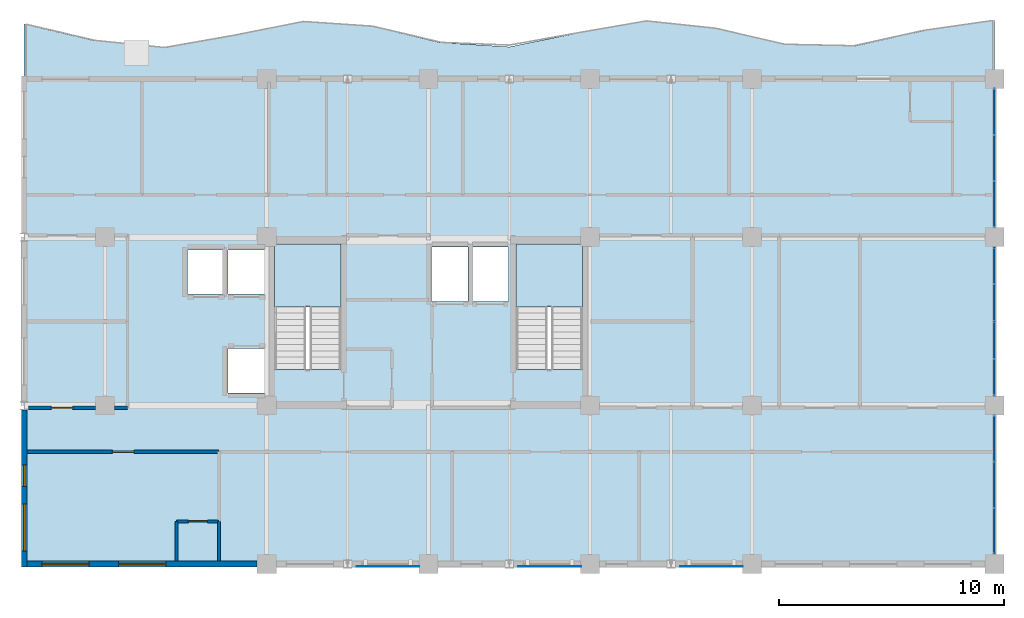
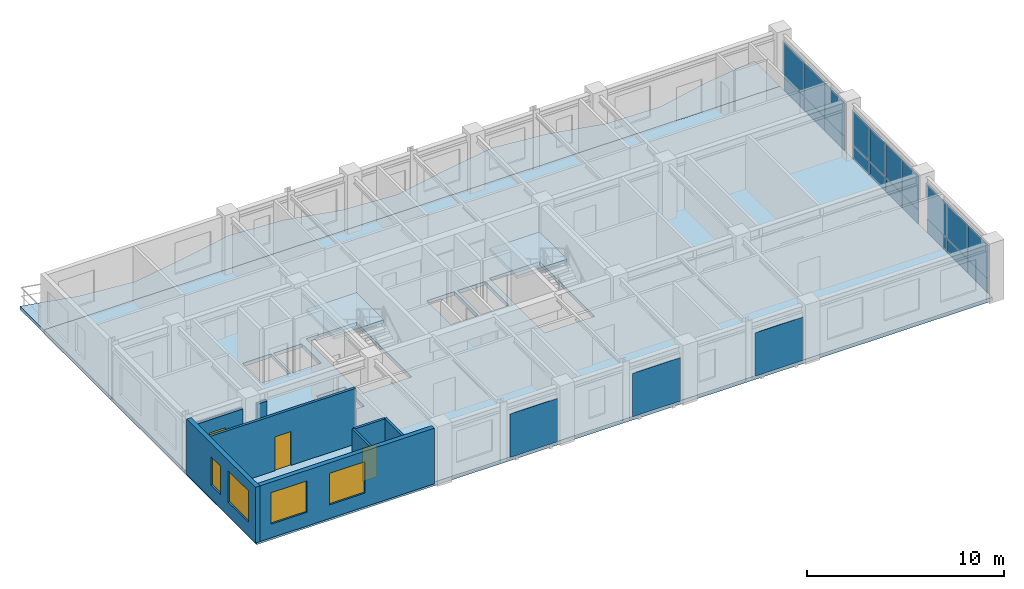
# One storey, part 5 of 11: 23 plates, 8 walls, 4 slabs, 4 windows, 3 doors, 7 openings, 5 elements without a shape of their own.
"""IFC4 building model written with IfcOpenShell, lengths in metres."""

from ifc_helpers import new_model, si_unit, direction, frame, frame_2d, origin, origin_2d, place, context, subcontext, project, spatial, polyline, rectangle, outline, extrude, source, transform, mapped, material, layer, layer_set, type_object, element, fill, aggregate, save


model = new_model("IFC4")

# Units and contexts
model_context = context("Model", 3, precision=1e-05, world=origin(), true_north=direction((0.0, 1.0)))
body_context = subcontext(model_context, "Body", "Model", "MODEL_VIEW")
ifc_project = project(units=[si_unit("LENGTHUNIT", "METRE"), si_unit("AREAUNIT", "SQUARE_METRE"), si_unit("VOLUMEUNIT", "CUBIC_METRE"), si_unit("PLANEANGLEUNIT", "RADIAN"), si_unit("MASSUNIT", "GRAM", prefix="KILO")], contexts=[model_context])

# Site, building, storey
site_placement = place(None, origin())
site = spatial("IfcSite", under=ifc_project, at=site_placement, CompositionType="ELEMENT")
building_placement = place(site_placement, origin())
building = spatial("IfcBuilding", under=site, at=building_placement, Name="Kaliganga Portal Commons", CompositionType="ELEMENT")
storey_placement = place(building_placement, frame((0.0, 0.0, 257.300048828125)))
storey = spatial("IfcBuildingStorey", under=building, at=storey_placement, Name="L66", CompositionType="ELEMENT", Elevation=257.300048828125)

# Slab
ifc_material_1 = material(Name="Concrete C40/50", Category="concrete")
ifc_layer_1 = layer(ifc_material_1, 0.2099609375)
ifc_layer_set_1 = layer_set([ifc_layer_1], Name="Concrete C40/50")
slab_type_1 = type_object("IfcSlabType", Name="SLB-BALC-210", PredefinedType="FLOOR", material=ifc_layer_set_1)
slab_1_placement = place(storey_placement, frame((0.0, 0.0, -0.2099609375)))
element("IfcSlab", 1, at=slab_1_placement, inside=storey, type_object=slab_type_1, Name="Scalloped Tree-Planter Balcony Slab L66 balc_north", PredefinedType="FLOOR", context=body_context, shape_type="SweptSolid", body=[
    extrude(outline(polyline([(46.800048828125, 43.199951171875), (46.800048828125, 45.800048828125), (43.71435546875, 45.3583984375), (40.628662109375, 44.673828125), (37.54296875, 44.739501953125), (34.45703125, 45.460205078125), (31.371337890625, 45.790283203125), (28.28564453125, 45.2509765625), (25.199951171875, 44.624755859375), (22.1142578125, 44.81982421875), (19.028564453125, 45.553466796875), (15.94287109375, 45.76123046875), (12.857177734375, 45.141845703125), (9.771484375, 44.59375), (6.685791015625, 44.912109375), (3.60009765625, 45.635009765625), (3.60009765625, 43.199951171875), (46.800048828125, 43.199951171875)])), origin(), (0.0, 0.0, 1.0), 0.2099609375),
])

# Stair, slab
stair_type = type_object("IfcStairType", Name="ST-CORE-DOGLEG", PredefinedType="HALF_TURN_STAIR", material=ifc_material_1)
stair_1_placement = place(storey_placement, origin())
stair_1 = element("IfcStair", 2, at=stair_1_placement, inside=storey, type_object=stair_type, Name="L66 Protected Exit Stair ST-A1", PredefinedType="HALF_TURN_STAIR")
ifc_layer_2 = layer(ifc_material_1, 0.199951171875)
ifc_layer_set_2 = layer_set([ifc_layer_2], Name="Concrete C40/50")
slab_type_2 = type_object("IfcSlabType", Name="SLB-STAIR-LND", PredefinedType="LANDING", material=ifc_layer_set_2)
slab_2_placement = place(storey_placement, frame((0.0, 0.0, 1.64990234375)))
slab_2 = element("IfcSlab", 3, at=slab_2_placement, type_object=slab_type_2, Name="ST-A1 landing 1", PredefinedType="LANDING", context=body_context, shape_type="SweptSolid", body=[
    extrude(outline(polyline([(17.699951171875, 33.050048828125), (17.699951171875, 35.85009765625), (14.75, 35.85009765625), (14.75, 33.050048828125), (17.699951171875, 33.050048828125)])), origin(), (0.0, 0.0, 1.0), 0.199951171875),
])
aggregate(stair_1, [slab_2])

stair_2_placement = place(storey_placement, origin())
stair_2 = element("IfcStair", 4, at=stair_2_placement, inside=storey, type_object=stair_type, Name="L66 Protected Exit Stair ST-A2", PredefinedType="HALF_TURN_STAIR")
slab_3_placement = place(storey_placement, frame((0.0, 0.0, 1.64990234375)))
slab_3 = element("IfcSlab", 5, at=slab_3_placement, type_object=slab_type_2, Name="ST-A2 landing 1", PredefinedType="LANDING", context=body_context, shape_type="SweptSolid", body=[
    extrude(outline(polyline([(28.449951171875, 33.050048828125), (28.449951171875, 35.85009765625), (25.5, 35.85009765625), (25.5, 33.050048828125), (28.449951171875, 33.050048828125)])), origin(), (0.0, 0.0, 1.0), 0.199951171875),
])
aggregate(stair_2, [slab_3])

# Slab
ifc_layer_3 = layer(ifc_material_1, 0.22509765625)
ifc_layer_set_3 = layer_set([ifc_layer_3], Name="Concrete C40/50")
slab_type_3 = type_object("IfcSlabType", Name="SLB-TWR-220", PredefinedType="FLOOR", material=ifc_layer_set_3)
slab_4_placement = place(storey_placement, frame((0.0, 0.0, -0.22509765625)))
element("IfcSlab", 6, at=slab_4_placement, inside=storey, type_object=slab_type_3, Name="Structural Floor Slab L66", PredefinedType="FLOOR", context=body_context, shape_type="SweptSolid", body=[
    extrude(outline(polyline([(3.60009765625, 21.60009765625), (46.800048828125, 21.60009765625), (46.800048828125, 43.199951171875), (3.60009765625, 43.199951171875), (3.60009765625, 21.60009765625)]), holes=[polyline([(14.75, 30.25390625), (14.75, 35.85009765625), (17.699951171875, 35.85009765625), (17.699951171875, 30.25390625), (14.75, 30.25390625)]), polyline([(25.5, 30.25390625), (25.5, 35.85009765625), (28.449951171875, 35.85009765625), (28.449951171875, 30.25390625), (25.5, 30.25390625)]), polyline([(12.6650390625, 33.614990234375), (12.6650390625, 35.5849609375), (14.3349609375, 35.5849609375), (14.3349609375, 33.614990234375), (12.6650390625, 33.614990234375)]), polyline([(12.6650390625, 29.215087890625), (12.6650390625, 31.18505859375), (14.3349609375, 31.18505859375), (14.3349609375, 29.215087890625), (12.6650390625, 29.215087890625)]), polyline([(10.864990234375, 33.614990234375), (10.864990234375, 35.5849609375), (12.534912109375, 35.5849609375), (12.534912109375, 33.614990234375), (10.864990234375, 33.614990234375)]), polyline([(21.739990234375, 33.2900390625), (21.739990234375, 35.7099609375), (23.360107421875, 35.7099609375), (23.360107421875, 33.2900390625), (21.739990234375, 33.2900390625)]), polyline([(23.5400390625, 33.2900390625), (23.5400390625, 35.7099609375), (25.159912109375, 35.7099609375), (25.159912109375, 33.2900390625), (23.5400390625, 33.2900390625)])]), origin(), (0.0, 0.0, 1.0), 0.22509765625),
])

# Plates
ifc_material_2 = material(Name="Perforated Bronze-Anodized Aluminium Solar Screen", Category="aluminium")
ifc_layer_4 = layer(ifc_material_2, 0.01806640625)
ifc_layer_set_4 = layer_set([ifc_layer_4], Name="Perforated Bronze-Anodized Aluminium Solar Screen")
plate_type_1 = type_object("IfcPlateType", Name="PLT-SCR-18", PredefinedType="USERDEFINED", material=ifc_layer_set_4)
shared_shape_1 = source(origin(), body_context, "Body", "SweptSolid", [
    extrude(rectangle(XDim=2.800048828125, YDim=0.01806640625, at=origin_2d()), origin(), (0.0, 0.0, 1.0), 2.68994140625),
])
for number, where, z_axis, x_axis, name in (
    (7, (19.800048828125, 21.47998046875, 0.080078125), (0.0, 0.0, 1.0), (1.0, 0.0, 0.0), "Perforated Solar Screen L66-S1"),
    (8, (27.0, 21.47998046875, 0.080078125), (0.0, 0.0, 1.0), (1.0, 0.0, 0.0), "Perforated Solar Screen L66-S2"),
    (9, (34.199951171875, 21.47998046875, 0.080078125), (0.0, 0.0, 1.0), (1.0, 0.0, 0.0), "Perforated Solar Screen L66-S3"),
):
    element("IfcPlate", number, at=place(storey_placement, frame(where, z_axis=z_axis, x_axis=x_axis)), inside=storey, type_object=plate_type_1, Name=name, ObjectType="SOLAR SCREEN", PredefinedType="USERDEFINED", context=body_context, shape_type="MappedRepresentation", body=[
        mapped(shared_shape_1, transform((0.0, 0.0, 0.0), x_axis=(1.0, 0.0, 0.0), y_axis=(0.0, 1.0, 0.0), z_axis=(0.0, 0.0, 1.0), scale=1.0)),
    ])

# Curtain wall, plates
ifc_material_3 = material(Name="Anodized Aluminium and Laminated Low-E Glass", Category="aluminium")
ifc_layer_5 = layer(ifc_material_3, 0.18994140625)
ifc_layer_set_5 = layer_set([ifc_layer_5], Name="Anodized Aluminium and Laminated Low-E Glass")
curtain_wall_type = type_object("IfcCurtainWallType", Name="CW-SYS-05", PredefinedType="NOTDEFINED", material=ifc_layer_set_5)
curtain_wall_1_placement = place(storey_placement, origin())
curtain_wall_1 = element("IfcCurtainWall", 10, at=curtain_wall_1_placement, inside=storey, type_object=curtain_wall_type, Name="CW 05 L66 P1E01S1", PredefinedType="NOTDEFINED")
ifc_material_4 = material(Name="Insulated Dark Spandrel Panel", Category="metal")
ifc_layer_6 = layer(ifc_material_4, 0.044921875)
ifc_layer_set_6 = layer_set([ifc_layer_6], Name="Insulated Dark Spandrel Panel")
plate_type_2 = type_object("IfcPlateType", Name="PLT-SPN-45", PredefinedType="SHEET", material=ifc_layer_set_6)
shared_shape_2 = source(origin(), body_context, "Body", "SweptSolid", [
    extrude(rectangle(XDim=2.02587890625, YDim=0.044921875, at=origin_2d()), origin(), (0.0, 0.0, 1.0), 0.841064453125),
])
plate_1_placement = place(storey_placement, frame((46.800048828125, 23.05908203125, 0.009765625), z_axis=(0.0, 0.0, 1.0), x_axis=(0.0, 1.0, 0.0)))
plate_1 = element("IfcPlate", 11, at=plate_1_placement, type_object=plate_type_2, Name="CW:05:L66:P1E01S1 Spandrel 00", PredefinedType="SHEET", context=body_context, shape_type="MappedRepresentation", body=[
    mapped(shared_shape_2, transform((0.0, 0.0, 0.0), x_axis=(1.0, 0.0, 0.0), y_axis=(0.0, 1.0, 0.0), z_axis=(0.0, 0.0, 1.0), scale=1.0)),
])
plate_2_placement = place(storey_placement, frame((46.800048828125, 25.125, 0.009765625), z_axis=(0.0, 0.0, 1.0), x_axis=(0.0, 1.0, 0.0)))
plate_2 = element("IfcPlate", 12, at=plate_2_placement, type_object=plate_type_2, Name="CW:05:L66:P1E01S1 Spandrel 01", PredefinedType="SHEET", context=body_context, shape_type="MappedRepresentation", body=[
    mapped(shared_shape_2, transform((0.0, 0.0, 0.0), x_axis=(1.0, 0.0, 0.0), y_axis=(0.0, 1.0, 0.0), z_axis=(0.0, 0.0, 1.0), scale=1.0)),
])
plate_3_placement = place(storey_placement, frame((46.800048828125, 27.19091796875, 0.009765625), z_axis=(0.0, 0.0, 1.0), x_axis=(0.0, 1.0, 0.0)))
plate_3 = element("IfcPlate", 13, at=plate_3_placement, type_object=plate_type_2, Name="CW:05:L66:P1E01S1 Spandrel 02", PredefinedType="SHEET", context=body_context, shape_type="MappedRepresentation", body=[
    mapped(shared_shape_2, transform((0.0, 0.0, 0.0), x_axis=(1.0, 0.0, 0.0), y_axis=(0.0, 1.0, 0.0), z_axis=(0.0, 0.0, 1.0), scale=1.0)),
])

curtain_wall_2_placement = place(storey_placement, origin())
curtain_wall_2 = element("IfcCurtainWall", 14, at=curtain_wall_2_placement, inside=storey, type_object=curtain_wall_type, Name="CW 05 L66 P1E01S3", PredefinedType="NOTDEFINED")
plate_4_placement = place(storey_placement, frame((46.800048828125, 37.60888671875, 0.009765625), z_axis=(0.0, 0.0, 1.0), x_axis=(0.0, 1.0, 0.0)))
plate_4 = element("IfcPlate", 15, at=plate_4_placement, type_object=plate_type_2, Name="CW:05:L66:P1E01S3 Spandrel 00", PredefinedType="SHEET", context=body_context, shape_type="MappedRepresentation", body=[
    mapped(shared_shape_2, transform((0.0, 0.0, 0.0), x_axis=(1.0, 0.0, 0.0), y_axis=(0.0, 1.0, 0.0), z_axis=(0.0, 0.0, 1.0), scale=1.0)),
])
plate_5_placement = place(storey_placement, frame((46.800048828125, 39.675048828125, 0.009765625), z_axis=(0.0, 0.0, 1.0), x_axis=(0.0, 1.0, 0.0)))
plate_5 = element("IfcPlate", 16, at=plate_5_placement, type_object=plate_type_2, Name="CW:05:L66:P1E01S3 Spandrel 01", PredefinedType="SHEET", context=body_context, shape_type="MappedRepresentation", body=[
    mapped(shared_shape_2, transform((0.0, 0.0, 0.0), x_axis=(1.0, 0.0, 0.0), y_axis=(0.0, 1.0, 0.0), z_axis=(0.0, 0.0, 1.0), scale=1.0)),
])
plate_6_placement = place(storey_placement, frame((46.800048828125, 41.740966796875, 0.009765625), z_axis=(0.0, 0.0, 1.0), x_axis=(0.0, 1.0, 0.0)))
plate_6 = element("IfcPlate", 17, at=plate_6_placement, type_object=plate_type_2, Name="CW:05:L66:P1E01S3 Spandrel 02", PredefinedType="SHEET", context=body_context, shape_type="MappedRepresentation", body=[
    mapped(shared_shape_2, transform((0.0, 0.0, 0.0), x_axis=(1.0, 0.0, 0.0), y_axis=(0.0, 1.0, 0.0), z_axis=(0.0, 0.0, 1.0), scale=1.0)),
])

# Plate
ifc_material_5 = material(Name="Dark Solar-Control Laminated Low-E IGU", Category="glass")
ifc_layer_7 = layer(ifc_material_5, 0.028076171875)
ifc_layer_set_7 = layer_set([ifc_layer_7], Name="Dark Solar-Control Laminated Low-E IGU")
plate_type_3 = type_object("IfcPlateType", Name="PLT-GLZ-28", PredefinedType="CURTAIN_PANEL", material=ifc_layer_set_7)
shared_shape_3 = source(origin(), body_context, "Body", "SweptSolid", [
    extrude(rectangle(XDim=2.02587890625, YDim=0.028076171875, at=origin_2d()), origin(), (0.0, 0.0, 1.0), 2.114013671875),
])
plate_7_placement = place(storey_placement, frame((46.800048828125, 23.05908203125, 0.87109375), z_axis=(0.0, 0.0, 1.0), x_axis=(0.0, 1.0, 0.0)))
plate_7 = element("IfcPlate", 18, at=plate_7_placement, type_object=plate_type_3, Name="CW:05:L66:P1E01S1 Vision IGU 00", PredefinedType="CURTAIN_PANEL", context=body_context, shape_type="MappedRepresentation", body=[
    mapped(shared_shape_3, transform((0.0, 0.0, 0.0), x_axis=(1.0, 0.0, 0.0), y_axis=(0.0, 1.0, 0.0), z_axis=(0.0, 0.0, 1.0), scale=1.0)),
])

plate_8_placement = place(storey_placement, frame((46.800048828125, 25.125, 0.87109375), z_axis=(0.0, 0.0, 1.0), x_axis=(0.0, 1.0, 0.0)))
plate_8 = element("IfcPlate", 19, at=plate_8_placement, type_object=plate_type_3, Name="CW:05:L66:P1E01S1 Vision IGU 01", PredefinedType="CURTAIN_PANEL", context=body_context, shape_type="MappedRepresentation", body=[
    mapped(shared_shape_3, transform((0.0, 0.0, 0.0), x_axis=(1.0, 0.0, 0.0), y_axis=(0.0, 1.0, 0.0), z_axis=(0.0, 0.0, 1.0), scale=1.0)),
])

plate_9_placement = place(storey_placement, frame((46.800048828125, 27.19091796875, 0.87109375), z_axis=(0.0, 0.0, 1.0), x_axis=(0.0, 1.0, 0.0)))
plate_9 = element("IfcPlate", 20, at=plate_9_placement, type_object=plate_type_3, Name="CW:05:L66:P1E01S1 Vision IGU 02", PredefinedType="CURTAIN_PANEL", context=body_context, shape_type="MappedRepresentation", body=[
    mapped(shared_shape_3, transform((0.0, 0.0, 0.0), x_axis=(1.0, 0.0, 0.0), y_axis=(0.0, 1.0, 0.0), z_axis=(0.0, 0.0, 1.0), scale=1.0)),
])

aggregate(curtain_wall_1, [plate_1, plate_7, plate_2, plate_8, plate_3, plate_9])

plate_10_placement = place(storey_placement, frame((46.800048828125, 37.60888671875, 0.87109375), z_axis=(0.0, 0.0, 1.0), x_axis=(0.0, 1.0, 0.0)))
plate_10 = element("IfcPlate", 21, at=plate_10_placement, type_object=plate_type_3, Name="CW:05:L66:P1E01S3 Vision IGU 00", PredefinedType="CURTAIN_PANEL", context=body_context, shape_type="MappedRepresentation", body=[
    mapped(shared_shape_3, transform((0.0, 0.0, 0.0), x_axis=(1.0, 0.0, 0.0), y_axis=(0.0, 1.0, 0.0), z_axis=(0.0, 0.0, 1.0), scale=1.0)),
])

plate_11_placement = place(storey_placement, frame((46.800048828125, 39.675048828125, 0.87109375), z_axis=(0.0, 0.0, 1.0), x_axis=(0.0, 1.0, 0.0)))
plate_11 = element("IfcPlate", 22, at=plate_11_placement, type_object=plate_type_3, Name="CW:05:L66:P1E01S3 Vision IGU 01", PredefinedType="CURTAIN_PANEL", context=body_context, shape_type="MappedRepresentation", body=[
    mapped(shared_shape_3, transform((0.0, 0.0, 0.0), x_axis=(1.0, 0.0, 0.0), y_axis=(0.0, 1.0, 0.0), z_axis=(0.0, 0.0, 1.0), scale=1.0)),
])

plate_12_placement = place(storey_placement, frame((46.800048828125, 41.740966796875, 0.87109375), z_axis=(0.0, 0.0, 1.0), x_axis=(0.0, 1.0, 0.0)))
plate_12 = element("IfcPlate", 23, at=plate_12_placement, type_object=plate_type_3, Name="CW:05:L66:P1E01S3 Vision IGU 02", PredefinedType="CURTAIN_PANEL", context=body_context, shape_type="MappedRepresentation", body=[
    mapped(shared_shape_3, transform((0.0, 0.0, 0.0), x_axis=(1.0, 0.0, 0.0), y_axis=(0.0, 1.0, 0.0), z_axis=(0.0, 0.0, 1.0), scale=1.0)),
])

aggregate(curtain_wall_2, [plate_4, plate_10, plate_5, plate_11, plate_6, plate_12])

# Curtain wall, plates
curtain_wall_3_placement = place(storey_placement, origin())
curtain_wall_3 = element("IfcCurtainWall", 24, at=curtain_wall_3_placement, inside=storey, type_object=curtain_wall_type, Name="CW 05 L66 P1E01S2", PredefinedType="NOTDEFINED")
shared_shape_4 = source(origin(), body_context, "Body", "SweptSolid", [
    extrude(rectangle(XDim=1.6220703125, YDim=0.044921875, at=origin_2d()), origin(), (0.0, 0.0, 1.0), 0.841064453125),
])
plate_13_placement = place(storey_placement, frame((46.800048828125, 29.906982421875, 0.009765625), z_axis=(0.0, 0.0, 1.0), x_axis=(0.0, 1.0, 0.0)))
plate_13 = element("IfcPlate", 25, at=plate_13_placement, type_object=plate_type_2, Name="CW:05:L66:P1E01S2 Spandrel 00", PredefinedType="SHEET", context=body_context, shape_type="MappedRepresentation", body=[
    mapped(shared_shape_4, transform((0.0, 0.0, 0.0), x_axis=(1.0, 0.0, 0.0), y_axis=(0.0, 1.0, 0.0), z_axis=(0.0, 0.0, 1.0), scale=1.0)),
])
plate_14_placement = place(storey_placement, frame((46.800048828125, 31.569091796875, 0.009765625), z_axis=(0.0, 0.0, 1.0), x_axis=(0.0, 1.0, 0.0)))
plate_14 = element("IfcPlate", 26, at=plate_14_placement, type_object=plate_type_2, Name="CW:05:L66:P1E01S2 Spandrel 01", PredefinedType="SHEET", context=body_context, shape_type="MappedRepresentation", body=[
    mapped(shared_shape_4, transform((0.0, 0.0, 0.0), x_axis=(1.0, 0.0, 0.0), y_axis=(0.0, 1.0, 0.0), z_axis=(0.0, 0.0, 1.0), scale=1.0)),
])
plate_15_placement = place(storey_placement, frame((46.800048828125, 33.23095703125, 0.009765625), z_axis=(0.0, 0.0, 1.0), x_axis=(0.0, 1.0, 0.0)))
plate_15 = element("IfcPlate", 27, at=plate_15_placement, type_object=plate_type_2, Name="CW:05:L66:P1E01S2 Spandrel 02", PredefinedType="SHEET", context=body_context, shape_type="MappedRepresentation", body=[
    mapped(shared_shape_4, transform((0.0, 0.0, 0.0), x_axis=(1.0, 0.0, 0.0), y_axis=(0.0, 1.0, 0.0), z_axis=(0.0, 0.0, 1.0), scale=1.0)),
])
plate_16_placement = place(storey_placement, frame((46.800048828125, 34.89306640625, 0.009765625), z_axis=(0.0, 0.0, 1.0), x_axis=(0.0, 1.0, 0.0)))
plate_16 = element("IfcPlate", 28, at=plate_16_placement, type_object=plate_type_2, Name="CW:05:L66:P1E01S2 Spandrel 03", PredefinedType="SHEET", context=body_context, shape_type="MappedRepresentation", body=[
    mapped(shared_shape_4, transform((0.0, 0.0, 0.0), x_axis=(1.0, 0.0, 0.0), y_axis=(0.0, 1.0, 0.0), z_axis=(0.0, 0.0, 1.0), scale=1.0)),
])
shared_shape_5 = source(origin(), body_context, "Body", "SweptSolid", [
    extrude(rectangle(XDim=1.6220703125, YDim=0.028076171875, at=origin_2d()), origin(), (0.0, 0.0, 1.0), 2.114013671875),
])
plate_17_placement = place(storey_placement, frame((46.800048828125, 29.906982421875, 0.87109375), z_axis=(0.0, 0.0, 1.0), x_axis=(0.0, 1.0, 0.0)))
plate_17 = element("IfcPlate", 29, at=plate_17_placement, type_object=plate_type_3, Name="CW:05:L66:P1E01S2 Vision IGU 00", PredefinedType="CURTAIN_PANEL", context=body_context, shape_type="MappedRepresentation", body=[
    mapped(shared_shape_5, transform((0.0, 0.0, 0.0), x_axis=(1.0, 0.0, 0.0), y_axis=(0.0, 1.0, 0.0), z_axis=(0.0, 0.0, 1.0), scale=1.0)),
])
plate_18_placement = place(storey_placement, frame((46.800048828125, 31.569091796875, 0.87109375), z_axis=(0.0, 0.0, 1.0), x_axis=(0.0, 1.0, 0.0)))
plate_18 = element("IfcPlate", 30, at=plate_18_placement, type_object=plate_type_3, Name="CW:05:L66:P1E01S2 Vision IGU 01", PredefinedType="CURTAIN_PANEL", context=body_context, shape_type="MappedRepresentation", body=[
    mapped(shared_shape_5, transform((0.0, 0.0, 0.0), x_axis=(1.0, 0.0, 0.0), y_axis=(0.0, 1.0, 0.0), z_axis=(0.0, 0.0, 1.0), scale=1.0)),
])
plate_19_placement = place(storey_placement, frame((46.800048828125, 33.23095703125, 0.87109375), z_axis=(0.0, 0.0, 1.0), x_axis=(0.0, 1.0, 0.0)))
plate_19 = element("IfcPlate", 31, at=plate_19_placement, type_object=plate_type_3, Name="CW:05:L66:P1E01S2 Vision IGU 02", PredefinedType="CURTAIN_PANEL", context=body_context, shape_type="MappedRepresentation", body=[
    mapped(shared_shape_5, transform((0.0, 0.0, 0.0), x_axis=(1.0, 0.0, 0.0), y_axis=(0.0, 1.0, 0.0), z_axis=(0.0, 0.0, 1.0), scale=1.0)),
])
plate_20_placement = place(storey_placement, frame((46.800048828125, 34.89306640625, 0.87109375), z_axis=(0.0, 0.0, 1.0), x_axis=(0.0, 1.0, 0.0)))
plate_20 = element("IfcPlate", 32, at=plate_20_placement, type_object=plate_type_3, Name="CW:05:L66:P1E01S2 Vision IGU 03", PredefinedType="CURTAIN_PANEL", context=body_context, shape_type="MappedRepresentation", body=[
    mapped(shared_shape_5, transform((0.0, 0.0, 0.0), x_axis=(1.0, 0.0, 0.0), y_axis=(0.0, 1.0, 0.0), z_axis=(0.0, 0.0, 1.0), scale=1.0)),
])
aggregate(curtain_wall_3, [plate_13, plate_17, plate_14, plate_18, plate_15, plate_19, plate_16, plate_20])

# Wall, openings, windows
ifc_material_6 = material(Name="Insulated Aluminium-Clad Spandrel Assembly", Category="aluminium")
ifc_layer_8 = layer(ifc_material_6, 0.260009765625)
ifc_layer_set_8 = layer_set([ifc_layer_8], Name="Insulated Aluminium-Clad Spandrel Assembly")
wall_type_1 = type_object("IfcWallType", Name="WL-EXT-SPAND-260", PredefinedType="STANDARD", material=ifc_layer_set_8)
wall_1_placement = place(storey_placement, frame((13.97412109375, 21.60009765625, 0.0), z_axis=(0.0, 0.0, 1.0), x_axis=(-1.0, 0.0, 0.0)))
wall_1 = element("IfcWall", 33, at=wall_1_placement, inside=storey, type_object=wall_type_1, Name="Exterior Envelope Wall L66 P1-E00-S1", PredefinedType="STANDARD", context=body_context, shape_type="SweptSolid", body=[
    extrude(rectangle(XDim=10.239013671875, YDim=0.260009765625, at=frame_2d((5.11962890625, 0.0))), origin(), (0.0, 0.0, 1.0), 3.454833984375),
])
opening_1_placement = place(wall_1_placement, frame((4.069580078125, 0.0, 0.85009765625)))
opening_1 = element("IfcOpeningElement", 34, at=opening_1_placement, cuts=wall_1, Name="Opening W-06", PredefinedType="OPENING", context=body_context, shape_type="SweptSolid", body=[
    extrude(rectangle(XDim=2.10009765625, YDim=1.949951171875, at=frame_2d((1.050048828125, 0.97509765625))), frame((0.0, 0.14013671875, 0.0), z_axis=(0.0, -1.0, 0.0), x_axis=(1.0, 0.0, 0.0)), (0.0, 0.0, 1.0), 0.280029296875),
])
opening_2_placement = place(wall_1_placement, frame((7.482421875, 0.0, 0.85009765625)))
opening_2 = element("IfcOpeningElement", 35, at=opening_2_placement, cuts=wall_1, Name="Opening W-06", PredefinedType="OPENING", context=body_context, shape_type="SweptSolid", body=[
    extrude(rectangle(XDim=2.10009765625, YDim=1.949951171875, at=frame_2d((1.050048828125, 0.97509765625))), frame((0.0, 0.14013671875, 0.0), z_axis=(0.0, -1.0, 0.0), x_axis=(1.0, 0.0, 0.0)), (0.0, 0.0, 1.0), 0.280029296875),
])
ifc_material_7 = material(Name="Thermally Broken Aluminium and Low-E Double Glazing", Category="aluminium")
window_type_1 = type_object("IfcWindowType", Name="WIN-PAN-2100", PartitioningType="DOUBLE_PANEL_VERTICAL", PredefinedType="WINDOW", material=ifc_material_7)
window_1_placement = place(opening_1_placement, origin())
window_1 = element("IfcWindow", 36, at=window_1_placement, inside=storey, type_object=window_type_1, Name="Facade Window L66-P1E00S1-01", OverallHeight=1.949951171875, OverallWidth=2.10009765625, PartitioningType="SINGLE_PANEL", PredefinedType="WINDOW", context=body_context, shape_type="SweptSolid", body=[
    extrude(rectangle(XDim=2.10009765625, YDim=1.949951171875, at=frame_2d((1.050048828125, 0.97509765625))), frame((0.0, 0.030029296875, 0.0), z_axis=(0.0, -1.0, 0.0), x_axis=(1.0, 0.0, 0.0)), (0.0, 0.0, 1.0), 0.06005859375),
])
fill(opening_1, window_1)
window_2_placement = place(opening_2_placement, origin())
window_2 = element("IfcWindow", 37, at=window_2_placement, inside=storey, type_object=window_type_1, Name="Facade Window L66-P1E00S1-02", OverallHeight=1.949951171875, OverallWidth=2.10009765625, PartitioningType="SINGLE_PANEL", PredefinedType="WINDOW", context=body_context, shape_type="SweptSolid", body=[
    extrude(rectangle(XDim=2.10009765625, YDim=1.949951171875, at=frame_2d((1.050048828125, 0.97509765625))), frame((0.0, 0.030029296875, 0.0), z_axis=(0.0, -1.0, 0.0), x_axis=(1.0, 0.0, 0.0)), (0.0, 0.0, 1.0), 0.06005859375),
])
fill(opening_2, window_2)

wall_2_placement = place(storey_placement, frame((3.60009765625, 21.469970703125, 0.0), z_axis=(0.0, 0.0, 1.0), x_axis=(0.0, 1.0, 0.0)))
wall_2 = element("IfcWall", 38, at=wall_2_placement, inside=storey, type_object=wall_type_1, Name="Exterior Envelope Wall L66 P1-E03-S3", PredefinedType="STANDARD", context=body_context, shape_type="SweptSolid", body=[
    extrude(rectangle(XDim=6.992919921875, YDim=0.260009765625, at=frame_2d((3.49658203125, 0.0))), origin(), (0.0, 0.0, 1.0), 3.454833984375),
])
opening_3_placement = place(wall_2_placement, frame((0.6982421875, 0.0, 0.85009765625)))
opening_3 = element("IfcOpeningElement", 39, at=opening_3_placement, cuts=wall_2, Name="Opening W-06", PredefinedType="OPENING", context=body_context, shape_type="SweptSolid", body=[
    extrude(rectangle(XDim=2.10009765625, YDim=1.949951171875, at=frame_2d((1.050048828125, 0.97509765625))), frame((0.0, 0.14013671875, 0.0), z_axis=(0.0, -1.0, 0.0), x_axis=(1.0, 0.0, 0.0)), (0.0, 0.0, 1.0), 0.280029296875),
])
opening_4_placement = place(wall_2_placement, frame((3.580810546875, 0.0, 0.85009765625)))
opening_4 = element("IfcOpeningElement", 40, at=opening_4_placement, cuts=wall_2, Name="Opening W-04", PredefinedType="OPENING", context=body_context, shape_type="SweptSolid", body=[
    extrude(rectangle(XDim=0.949951171875, YDim=1.75, at=frame_2d((0.47509765625, 0.875))), frame((0.0, 0.14013671875, 0.0), z_axis=(0.0, -1.0, 0.0), x_axis=(1.0, 0.0, 0.0)), (0.0, 0.0, 1.0), 0.280029296875),
])
window_type_2 = type_object("IfcWindowType", Name="WIN-NARROW-950", PartitioningType="SINGLE_PANEL", PredefinedType="WINDOW", material=ifc_material_7)
window_3_placement = place(opening_4_placement, origin())
window_3 = element("IfcWindow", 41, at=window_3_placement, inside=storey, type_object=window_type_2, Name="Facade Window L66-P1E03S3-N6", OverallHeight=1.75, OverallWidth=0.949951171875, PartitioningType="SINGLE_PANEL", PredefinedType="WINDOW", context=body_context, shape_type="SweptSolid", body=[
    extrude(rectangle(XDim=0.949951171875, YDim=1.75, at=frame_2d((0.47509765625, 0.875))), frame((0.0, 0.030029296875, 0.0), z_axis=(0.0, -1.0, 0.0), x_axis=(1.0, 0.0, 0.0)), (0.0, 0.0, 1.0), 0.06005859375),
])
fill(opening_4, window_3)
window_4_placement = place(opening_3_placement, origin())
window_4 = element("IfcWindow", 42, at=window_4_placement, inside=storey, type_object=window_type_1, Name="Facade Window L66-P1E03S3-00", OverallHeight=1.949951171875, OverallWidth=2.10009765625, PartitioningType="SINGLE_PANEL", PredefinedType="WINDOW", context=body_context, shape_type="SweptSolid", body=[
    extrude(rectangle(XDim=2.10009765625, YDim=1.949951171875, at=frame_2d((1.050048828125, 0.97509765625))), frame((0.0, 0.030029296875, 0.0), z_axis=(0.0, -1.0, 0.0), x_axis=(1.0, 0.0, 0.0)), (0.0, 0.0, 1.0), 0.06005859375),
])
fill(opening_3, window_4)

# Wall, opening, door
ifc_material_8 = material(Name="Fire-Rated Gypsum Board on Steel Stud", Category="steel")
ifc_layer_9 = layer(ifc_material_8, 0.14990234375)
ifc_layer_set_9 = layer_set([ifc_layer_9], Name="Fire-Rated Gypsum Board on Steel Stud")
wall_type_2 = type_object("IfcWallType", Name="WL-PART-CORR-150", PredefinedType="PARTITIONING", material=ifc_layer_set_9)
wall_3_placement = place(storey_placement, frame((3.73193359375, 26.60009765625, 0.0), z_axis=(0.0, 0.0, 1.0), x_axis=(1.0, 0.0, 0.0)))
wall_3 = element("IfcWall", 43, at=wall_3_placement, inside=storey, type_object=wall_type_2, Name="Interior Partition L66-011", PredefinedType="PARTITIONING", context=body_context, shape_type="SweptSolid", body=[
    extrude(rectangle(XDim=8.548095703125, YDim=0.14990234375, at=frame_2d((4.27392578125, 0.0))), origin(), (0.0, 0.0, 1.0), 3.454833984375),
])
opening_5_placement = place(wall_3_placement, frame((3.799072265625, 0.0, 0.0)))
opening_5 = element("IfcOpeningElement", 44, at=opening_5_placement, cuts=wall_3, Name="Opening UD-01", PredefinedType="OPENING", context=body_context, shape_type="SweptSolid", body=[
    extrude(rectangle(XDim=0.949951171875, YDim=2.10009765625, at=frame_2d((0.47509765625, 1.050048828125))), frame((0.0, 0.0849609375, 0.0), z_axis=(0.0, -1.0, 0.0), x_axis=(1.0, 0.0, 0.0)), (0.0, 0.0, 1.0), 0.169921875),
])
ifc_material_9 = material(Name="Solid-Core Timber Acoustic Fire Door", Category="wood")
door_type_1 = type_object("IfcDoorType", Name="DR-UNIT-950", OperationType="NOTDEFINED", PredefinedType="DOOR", material=ifc_material_9)
door_1_placement = place(opening_5_placement, origin())
door_1 = element("IfcDoor", 45, at=door_1_placement, inside=storey, type_object=door_type_1, Name="Interior Door L66-AS01", OperationType="SINGLE_SWING_LEFT", OverallHeight=2.10009765625, OverallWidth=0.949951171875, PredefinedType="DOOR", context=body_context, shape_type="SweptSolid", body=[
    extrude(rectangle(XDim=0.949951171875, YDim=2.10009765625, at=frame_2d((0.47509765625, 1.050048828125))), frame((0.0, 0.02490234375, 0.0), z_axis=(0.0, -1.0, 0.0), x_axis=(1.0, 0.0, 0.0)), (0.0, 0.0, 1.0), 0.050048828125),
])
fill(opening_5, door_1)

wall_4_placement = place(storey_placement, frame((3.787109375, 28.56005859375, 0.0), z_axis=(0.0, 0.0, 1.0), x_axis=(1.0, 0.0, 0.0)))
wall_4 = element("IfcWall", 46, at=wall_4_placement, inside=storey, type_object=wall_type_2, Name="Interior Partition L66-018", PredefinedType="PARTITIONING", context=body_context, shape_type="SweptSolid", body=[
    extrude(rectangle(XDim=2.98779296875, YDim=0.14990234375, at=frame_2d((1.493896484375, 0.0))), origin(), (0.0, 0.0, 1.0), 2.905029296875),
])
opening_6_placement = place(wall_4_placement, frame((1.01904296875, 0.0, 0.0)))
opening_6 = element("IfcOpeningElement", 47, at=opening_6_placement, cuts=wall_4, Name="Opening UD-01", PredefinedType="OPENING", context=body_context, shape_type="SweptSolid", body=[
    extrude(rectangle(XDim=0.949951171875, YDim=2.10009765625, at=frame_2d((0.47509765625, 1.050048828125))), frame((0.0, 0.0849609375, 0.0), z_axis=(0.0, -1.0, 0.0), x_axis=(1.0, 0.0, 0.0)), (0.0, 0.0, 1.0), 0.169921875),
])
door_2_placement = place(opening_6_placement, origin())
door_2 = element("IfcDoor", 48, at=door_2_placement, inside=storey, type_object=door_type_1, Name="Interior Door L66-AW01", OperationType="SINGLE_SWING_LEFT", OverallHeight=2.10009765625, OverallWidth=0.949951171875, PredefinedType="DOOR", context=body_context, shape_type="SweptSolid", body=[
    extrude(rectangle(XDim=0.949951171875, YDim=2.10009765625, at=frame_2d((0.47509765625, 1.050048828125))), frame((0.0, 0.02490234375, 0.0), z_axis=(0.0, -1.0, 0.0), x_axis=(1.0, 0.0, 0.0)), (0.0, 0.0, 1.0), 0.050048828125),
])
fill(opening_6, door_2)

# Wall
wall_5_placement = place(storey_placement, frame((7.625, 28.56005859375, 0.0), z_axis=(0.0, 0.0, 1.0), x_axis=(1.0, 0.0, 0.0)))
element("IfcWall", 49, at=wall_5_placement, inside=storey, type_object=wall_type_2, Name="Interior Partition L66-019", PredefinedType="PARTITIONING", context=body_context, shape_type="SweptSolid", body=[
    extrude(rectangle(XDim=0.574951171875, YDim=0.14990234375, at=frame_2d((0.28759765625, 0.0))), origin(), (0.0, 0.0, 1.0), 2.905029296875),
])

# Wall, opening, door
ifc_material_10 = material(Name="Cement-Board Wet-Room Partition", Category="gypsum")
ifc_layer_10 = layer(ifc_material_10, 0.135009765625)
ifc_layer_set_10 = layer_set([ifc_layer_10], Name="Cement-Board Wet-Room Partition")
wall_type_3 = type_object("IfcWallType", Name="WL-PART-WET-135", PredefinedType="PARTITIONING", material=ifc_layer_set_10)
wall_6_placement = place(storey_placement, frame((10.3798828125, 23.5, 0.0), z_axis=(0.0, 0.0, 1.0), x_axis=(1.0, 0.0, 0.0)))
wall_6 = element("IfcWall", 50, at=wall_6_placement, inside=storey, type_object=wall_type_3, Name="Interior Partition L66-003", PredefinedType="PARTITIONING", context=body_context, shape_type="SweptSolid", body=[
    extrude(rectangle(XDim=1.900146484375, YDim=0.135009765625, at=frame_2d((0.9501953125, 0.0))), origin(), (0.0, 0.0, 1.0), 3.454833984375),
])
opening_7_placement = place(wall_6_placement, frame((0.52490234375, 0.0, 0.0)))
opening_7 = element("IfcOpeningElement", 51, at=opening_7_placement, cuts=wall_6, Name="Opening WD-01", PredefinedType="OPENING", context=body_context, shape_type="SweptSolid", body=[
    extrude(rectangle(XDim=0.85009765625, YDim=2.0400390625, at=frame_2d((0.425048828125, 1.02001953125))), frame((0.0, 0.07763671875, 0.0), z_axis=(0.0, -1.0, 0.0), x_axis=(1.0, 0.0, 0.0)), (0.0, 0.0, 1.0), 0.155029296875),
])
ifc_material_11 = material(Name="Moisture-Resistant Laminate Timber Door", Category="wood")
door_type_2 = type_object("IfcDoorType", Name="DR-WET-850", OperationType="NOTDEFINED", PredefinedType="DOOR", material=ifc_material_11)
door_3_placement = place(opening_7_placement, origin())
door_3 = element("IfcDoor", 52, at=door_3_placement, inside=storey, type_object=door_type_2, Name="Interior Door L66-AS01E", OperationType="SINGLE_SWING_RIGHT", OverallHeight=2.0400390625, OverallWidth=0.85009765625, PredefinedType="DOOR", context=body_context, shape_type="SweptSolid", body=[
    extrude(rectangle(XDim=0.85009765625, YDim=2.0400390625, at=frame_2d((0.425048828125, 1.02001953125))), frame((0.0, 0.02490234375, 0.0), z_axis=(0.0, -1.0, 0.0), x_axis=(1.0, 0.0, 0.0)), (0.0, 0.0, 1.0), 0.050048828125),
])
fill(opening_7, door_3)

# Walls
for number, where, z_axis, x_axis, name in (
    (53, (10.3798828125, 21.73193359375, 0.0), (0.0, 0.0, 1.0), (0.0, 1.0, 0.0), "Interior Partition L66-005"),
    (54, (12.280029296875, 21.73193359375, 0.0), (0.0, 0.0, 1.0), (0.0, 1.0, 0.0), "Interior Partition L66-006"),
):
    element("IfcWall", number, at=place(storey_placement, frame(where, z_axis=z_axis, x_axis=x_axis)), inside=storey, type_object=wall_type_3, Name=name, PredefinedType="PARTITIONING", context=body_context, shape_type="SweptSolid", body=[
        extrude(rectangle(XDim=1.76806640625, YDim=0.135009765625, at=frame_2d((0.884033203125, 0.0))), origin(), (0.0, 0.0, 1.0), 3.454833984375),
    ])

save(model, "model.ifc")
